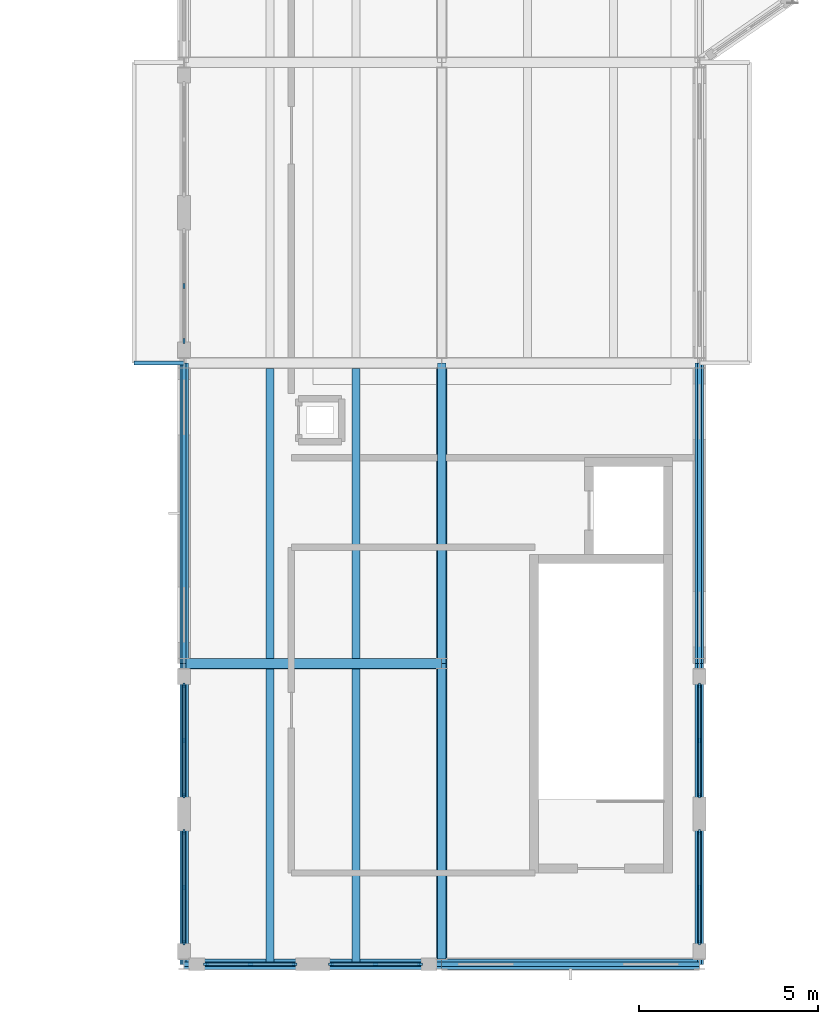
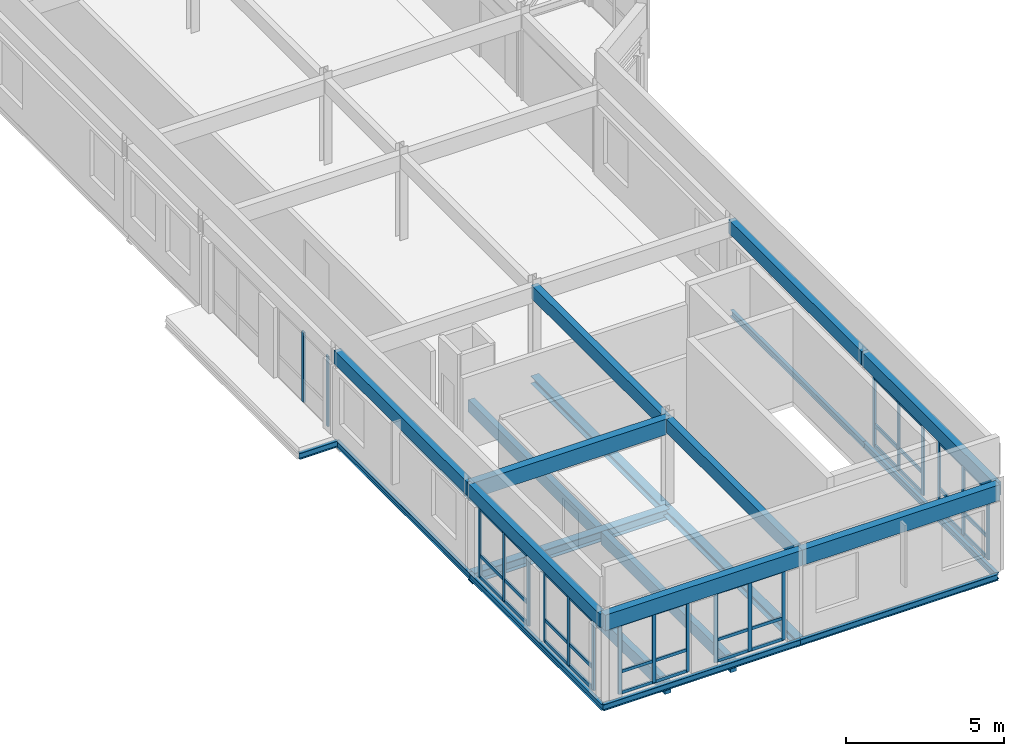
# One storey, part 6 of 21: 38 members, 23 beams, 7 elements without a shape of their own.
"""IFC4 building model written with IfcOpenShell, lengths in metres."""

from ifc_helpers import new_model, si_unit, direction, frame, origin, origin_2d, place, context, subcontext, project, spatial, rectangle, i_section, extrude, material, material_profile, profile_set, type_object, element, aggregate, save


model = new_model("IFC4")

# Units and contexts
model_context = context("Model", 3, precision=1e-05, world=origin(), true_north=direction((0.0, 1.0)))
body_context = subcontext(model_context, "Body", "Model", "MODEL_VIEW")
ifc_project = project(units=[si_unit("LENGTHUNIT", "METRE"), si_unit("AREAUNIT", "SQUARE_METRE"), si_unit("VOLUMEUNIT", "CUBIC_METRE"), si_unit("PLANEANGLEUNIT", "RADIAN"), si_unit("MASSUNIT", "GRAM", prefix="KILO")], contexts=[model_context])

# Site, building, storey
site_placement = place(None, origin())
site = spatial("IfcSite", under=ifc_project, at=site_placement, CompositionType="ELEMENT")
building_placement = place(site_placement, origin())
building = spatial("IfcBuilding", under=site, at=building_placement, Name="Kahlenmark Community Centre", CompositionType="ELEMENT")
storey_placement = place(building_placement, frame((0.0, 0.0, 21.60009765625)))
storey = spatial("IfcBuildingStorey", under=building, at=storey_placement, Name="L05", CompositionType="ELEMENT", Elevation=21.60009765625)

# Beams
ifc_material_1 = material(Name="Glulam GL32h", Category="wood")
ifc_material_profile_1 = material_profile(ifc_material_1, rectangle(XDim=0.239990234375, YDim=0.52001953125, at=origin_2d()), Name="GL32h 240x520")
ifc_profile_set_1 = profile_set([ifc_material_profile_1], Name="Glulam GL32h")
beam_type_1 = type_object("IfcBeamType", Name="BT-BEAM-GL32h240x520", PredefinedType="BEAM", material=ifc_profile_set_1)
beam_1_placement = place(storey_placement, frame((72.39990234375, 50.800048828125, 3.059814453125), z_axis=(0.0, 1.0, 0.0), x_axis=(-1.0, 0.0, 0.0)))
element("IfcBeam", 1, at=beam_1_placement, inside=storey, type_object=beam_type_1, Name="L05 beam BG-RF520", PredefinedType="BEAM", context=body_context, shape_type="SweptSolid", body=[
    extrude(rectangle(XDim=0.239990234375, YDim=0.52001953125, at=origin_2d()), origin(), (0.0, 0.0, 1.0), 8.39990234375),
])
beam_2_placement = place(storey_placement, frame((72.39990234375, 59.199951171875, 3.059814453125), z_axis=(0.0, 1.0, 0.0), x_axis=(-1.0, 0.0, 0.0)))
element("IfcBeam", 2, at=beam_2_placement, inside=storey, type_object=beam_type_1, Name="L05 beam BG-RF520", PredefinedType="BEAM", context=body_context, shape_type="SweptSolid", body=[
    extrude(rectangle(XDim=0.239990234375, YDim=0.52001953125, at=origin_2d()), origin(), (0.0, 0.0, 1.0), 8.400146484375),
])
beam_3_placement = place(storey_placement, frame((79.60009765625, 50.800048828125, 3.059814453125), z_axis=(0.0, 1.0, 0.0), x_axis=(-1.0, 0.0, 0.0)))
element("IfcBeam", 3, at=beam_3_placement, inside=storey, type_object=beam_type_1, Name="L05 beam BG-RF520", PredefinedType="BEAM", context=body_context, shape_type="SweptSolid", body=[
    extrude(rectangle(XDim=0.239990234375, YDim=0.52001953125, at=origin_2d()), origin(), (0.0, 0.0, 1.0), 8.39990234375),
])
beam_4_placement = place(storey_placement, frame((79.60009765625, 59.199951171875, 3.059814453125), z_axis=(0.0, 1.0, 0.0), x_axis=(-1.0, 0.0, 0.0)))
element("IfcBeam", 4, at=beam_4_placement, inside=storey, type_object=beam_type_1, Name="L05 beam BG-RF520", PredefinedType="BEAM", context=body_context, shape_type="SweptSolid", body=[
    extrude(rectangle(XDim=0.239990234375, YDim=0.52001953125, at=origin_2d()), origin(), (0.0, 0.0, 1.0), 8.400146484375),
])
beam_5_placement = place(storey_placement, frame((86.800048828125, 50.800048828125, 3.059814453125), z_axis=(0.0, 1.0, 0.0), x_axis=(-1.0, 0.0, 0.0)))
element("IfcBeam", 5, at=beam_5_placement, inside=storey, type_object=beam_type_1, Name="L05 beam BG-RF520", PredefinedType="BEAM", context=body_context, shape_type="SweptSolid", body=[
    extrude(rectangle(XDim=0.239990234375, YDim=0.52001953125, at=origin_2d()), origin(), (0.0, 0.0, 1.0), 8.39990234375),
])
beam_6_placement = place(storey_placement, frame((86.800048828125, 59.199951171875, 3.059814453125), z_axis=(0.0, 1.0, 0.0), x_axis=(-1.0, 0.0, 0.0)))
element("IfcBeam", 6, at=beam_6_placement, inside=storey, type_object=beam_type_1, Name="L05 beam BG-RF520", PredefinedType="BEAM", context=body_context, shape_type="SweptSolid", body=[
    extrude(rectangle(XDim=0.239990234375, YDim=0.52001953125, at=origin_2d()), origin(), (0.0, 0.0, 1.0), 8.400146484375),
])
ifc_material_profile_2 = material_profile(ifc_material_1, rectangle(XDim=0.280029296875, YDim=0.60009765625, at=origin_2d()), Name="GL32h 280x600")
ifc_profile_set_2 = profile_set([ifc_material_profile_2], Name="Glulam GL32h")
beam_type_2 = type_object("IfcBeamType", Name="BT-BEAM-GL32h280x600", PredefinedType="BEAM", material=ifc_profile_set_2)
beam_7_placement = place(storey_placement, frame((72.39990234375, 50.800048828125, 3.02001953125), z_axis=(1.0, 0.0, 0.0), x_axis=(0.0, 1.0, 0.0)))
element("IfcBeam", 7, at=beam_7_placement, inside=storey, type_object=beam_type_2, Name="L05 beam BG-RF600", PredefinedType="BEAM", context=body_context, shape_type="SweptSolid", body=[
    extrude(rectangle(XDim=0.280029296875, YDim=0.60009765625, at=origin_2d()), origin(), (0.0, 0.0, 1.0), 7.2001953125),
])
beam_8_placement = place(storey_placement, frame((79.60009765625, 50.800048828125, 3.02001953125), z_axis=(1.0, 0.0, 0.0), x_axis=(0.0, 1.0, 0.0)))
element("IfcBeam", 8, at=beam_8_placement, inside=storey, type_object=beam_type_2, Name="L05 beam BG-RF600", PredefinedType="BEAM", context=body_context, shape_type="SweptSolid", body=[
    extrude(rectangle(XDim=0.280029296875, YDim=0.60009765625, at=origin_2d()), origin(), (0.0, 0.0, 1.0), 7.199951171875),
])
beam_9_placement = place(storey_placement, frame((72.39990234375, 59.199951171875, 3.02001953125), z_axis=(1.0, 0.0, 0.0), x_axis=(0.0, 1.0, 0.0)))
element("IfcBeam", 9, at=beam_9_placement, inside=storey, type_object=beam_type_2, Name="L05 beam BG-RF600", PredefinedType="BEAM", context=body_context, shape_type="SweptSolid", body=[
    extrude(rectangle(XDim=0.280029296875, YDim=0.60009765625, at=origin_2d()), origin(), (0.0, 0.0, 1.0), 7.2001953125),
])
ifc_material_2 = material(Name="Steel S355", Category="steel")
ifc_material_profile_3 = material_profile(ifc_material_2, i_section(OverallWidth=0.300048828125, OverallDepth=0.2900390625, WebThickness=0.008544921875, FlangeThickness=0.013916015625, at=origin_2d()), Name="HEA 300")
ifc_profile_set_3 = profile_set([ifc_material_profile_3], Name="Steel S355")
beam_type_3 = type_object("IfcBeamType", Name="BT-BEAM-HEA300", PredefinedType="BEAM", material=ifc_profile_set_3)
beam_10_placement = place(storey_placement, frame((79.60009765625, 50.800048828125, -0.3251953125), z_axis=(0.0, 1.0, 0.0), x_axis=(-1.0, 0.0, 0.0)))
element("IfcBeam", 10, at=beam_10_placement, inside=storey, type_object=beam_type_3, Name="L05 beam BG-HEA300", PredefinedType="BEAM", context=body_context, shape_type="SweptSolid", body=[
    extrude(i_section(OverallWidth=0.300048828125, OverallDepth=0.2900390625, WebThickness=0.008544921875, FlangeThickness=0.013916015625, at=origin_2d()), origin(), (0.0, 0.0, 1.0), 8.39990234375),
])
beam_11_placement = place(storey_placement, frame((79.60009765625, 59.199951171875, -0.3251953125), z_axis=(0.0, 1.0, 0.0), x_axis=(-1.0, 0.0, 0.0)))
element("IfcBeam", 11, at=beam_11_placement, inside=storey, type_object=beam_type_3, Name="L05 beam BG-HEA300", PredefinedType="BEAM", context=body_context, shape_type="SweptSolid", body=[
    extrude(i_section(OverallWidth=0.300048828125, OverallDepth=0.2900390625, WebThickness=0.008544921875, FlangeThickness=0.013916015625, at=origin_2d()), origin(), (0.0, 0.0, 1.0), 8.400146484375),
])
ifc_material_profile_4 = material_profile(ifc_material_2, i_section(OverallWidth=0.300048828125, OverallDepth=0.389892578125, WebThickness=0.010986328125, FlangeThickness=0.01904296875, at=origin_2d()), Name="HEA 400")
ifc_profile_set_4 = profile_set([ifc_material_profile_4], Name="Steel S355")
beam_type_4 = type_object("IfcBeamType", Name="BT-BEAM-HEA400", PredefinedType="BEAM", material=ifc_profile_set_4)
beam_12_placement = place(storey_placement, frame((72.39990234375, 59.199951171875, -0.375), z_axis=(1.0, 0.0, 0.0), x_axis=(0.0, 1.0, 0.0)))
element("IfcBeam", 12, at=beam_12_placement, inside=storey, type_object=beam_type_4, Name="L05 beam BG-HEA400", PredefinedType="BEAM", context=body_context, shape_type="SweptSolid", body=[
    extrude(i_section(OverallWidth=0.300048828125, OverallDepth=0.389892578125, WebThickness=0.010986328125, FlangeThickness=0.01904296875, at=origin_2d()), origin(), (0.0, 0.0, 1.0), 7.2001953125),
])
ifc_material_profile_5 = material_profile(ifc_material_2, i_section(OverallWidth=0.1201171875, OverallDepth=0.239990234375, WebThickness=0.006103515625, FlangeThickness=0.009765625, at=origin_2d()), Name="IPE 240")
ifc_profile_set_5 = profile_set([ifc_material_profile_5], Name="Steel S355")
beam_type_5 = type_object("IfcBeamType", Name="BT-BEAM-IPE240", PredefinedType="BEAM", material=ifc_profile_set_5)
beam_13_placement = place(storey_placement, frame((71.0, 67.60009765625, -0.300048828125), z_axis=(1.0, 0.0, 0.0), x_axis=(0.0, 1.0, 0.0)))
element("IfcBeam", 13, at=beam_13_placement, inside=storey, type_object=beam_type_5, Name="L05 beam BG-IPE240", PredefinedType="BEAM", context=body_context, shape_type="SweptSolid", body=[
    extrude(i_section(OverallWidth=0.1201171875, OverallDepth=0.239990234375, WebThickness=0.006103515625, FlangeThickness=0.009765625, at=origin_2d()), origin(), (0.0, 0.0, 1.0), 1.39990234375),
])
ifc_material_3 = material(Name="Glulam GL28h", Category="wood")
ifc_material_profile_6 = material_profile(ifc_material_3, rectangle(XDim=0.219970703125, YDim=0.47998046875, at=origin_2d()), Name="GL28h 220x480")
ifc_profile_set_6 = profile_set([ifc_material_profile_6], Name="Glulam GL28h")
beam_type_6 = type_object("IfcBeamType", Name="BT-JOIST-GL28h220x480", PredefinedType="JOIST", material=ifc_profile_set_6)
for number, where, z_axis, x_axis, name in (
    (14, (74.800048828125, 50.85791015625, -0.420166015625), (0.0, 1.0, 0.0), (-1.0, 0.0, 0.0), "L05 joist BJ-GL28h220x480"),
    (15, (77.199951171875, 50.85791015625, -0.420166015625), (0.0, 1.0, 0.0), (-1.0, 0.0, 0.0), "L05 joist BJ-GL28h220x480"),
):
    element("IfcBeam", number, at=place(storey_placement, frame(where, z_axis=z_axis, x_axis=x_axis)), inside=storey, type_object=beam_type_6, Name=name, PredefinedType="JOIST", context=body_context, shape_type="SweptSolid", body=[
        extrude(rectangle(XDim=0.219970703125, YDim=0.47998046875, at=origin_2d()), origin(), (0.0, 0.0, 1.0), 8.194091796875),
    ])
for number, where, z_axis, x_axis, name in (
    (16, (74.800048828125, 59.347900390625, -0.420166015625), (0.0, 1.0, 0.0), (-1.0, 0.0, 0.0), "L05 joist BJ-GL28h220x480"),
    (17, (77.199951171875, 59.347900390625, -0.420166015625), (0.0, 1.0, 0.0), (-1.0, 0.0, 0.0), "L05 joist BJ-GL28h220x480"),
):
    element("IfcBeam", number, at=place(storey_placement, frame(where, z_axis=z_axis, x_axis=x_axis)), inside=storey, type_object=beam_type_6, Name=name, PredefinedType="JOIST", context=body_context, shape_type="SweptSolid", body=[
        extrude(rectangle(XDim=0.219970703125, YDim=0.47998046875, at=origin_2d()), origin(), (0.0, 0.0, 1.0), 8.10400390625),
    ])
ifc_material_profile_7 = material_profile(ifc_material_2, i_section(OverallWidth=0.1201171875, OverallDepth=0.239990234375, WebThickness=0.006103515625, FlangeThickness=0.009765625, at=origin_2d()), Name="IPE 240")
ifc_profile_set_7 = profile_set([ifc_material_profile_7], Name="Steel S355")
beam_type_7 = type_object("IfcBeamType", Name="BT-SPANDREL-IPE240", PredefinedType="SPANDREL", material=ifc_profile_set_7)
beam_14_placement = place(storey_placement, frame((72.39990234375, 50.800048828125, -0.300048828125), z_axis=(1.0, 0.0, 0.0), x_axis=(0.0, 1.0, 0.0)))
element("IfcBeam", 18, at=beam_14_placement, inside=storey, type_object=beam_type_7, Name="L05 spandrel SP-IPE240", PredefinedType="SPANDREL", context=body_context, shape_type="SweptSolid", body=[
    extrude(i_section(OverallWidth=0.1201171875, OverallDepth=0.239990234375, WebThickness=0.006103515625, FlangeThickness=0.009765625, at=origin_2d()), origin(), (0.0, 0.0, 1.0), 7.2001953125),
])
beam_15_placement = place(storey_placement, frame((79.60009765625, 50.800048828125, -0.300048828125), z_axis=(1.0, 0.0, 0.0), x_axis=(0.0, 1.0, 0.0)))
element("IfcBeam", 19, at=beam_15_placement, inside=storey, type_object=beam_type_7, Name="L05 spandrel SP-IPE240", PredefinedType="SPANDREL", context=body_context, shape_type="SweptSolid", body=[
    extrude(i_section(OverallWidth=0.1201171875, OverallDepth=0.239990234375, WebThickness=0.006103515625, FlangeThickness=0.009765625, at=origin_2d()), origin(), (0.0, 0.0, 1.0), 7.199951171875),
])
beam_16_placement = place(storey_placement, frame((72.39990234375, 50.800048828125, -0.300048828125), z_axis=(0.0, 1.0, 0.0), x_axis=(-1.0, 0.0, 0.0)))
element("IfcBeam", 20, at=beam_16_placement, inside=storey, type_object=beam_type_7, Name="L05 spandrel SP-IPE240", PredefinedType="SPANDREL", context=body_context, shape_type="SweptSolid", body=[
    extrude(i_section(OverallWidth=0.1201171875, OverallDepth=0.239990234375, WebThickness=0.006103515625, FlangeThickness=0.009765625, at=origin_2d()), origin(), (0.0, 0.0, 1.0), 8.39990234375),
])
beam_17_placement = place(storey_placement, frame((72.39990234375, 59.199951171875, -0.300048828125), z_axis=(0.0, 1.0, 0.0), x_axis=(-1.0, 0.0, 0.0)))
element("IfcBeam", 21, at=beam_17_placement, inside=storey, type_object=beam_type_7, Name="L05 spandrel SP-IPE240", PredefinedType="SPANDREL", context=body_context, shape_type="SweptSolid", body=[
    extrude(i_section(OverallWidth=0.1201171875, OverallDepth=0.239990234375, WebThickness=0.006103515625, FlangeThickness=0.009765625, at=origin_2d()), origin(), (0.0, 0.0, 1.0), 8.400146484375),
])
beam_18_placement = place(storey_placement, frame((86.800048828125, 50.800048828125, -0.300048828125), z_axis=(0.0, 1.0, 0.0), x_axis=(-1.0, 0.0, 0.0)))
element("IfcBeam", 22, at=beam_18_placement, inside=storey, type_object=beam_type_7, Name="L05 spandrel SP-IPE240", PredefinedType="SPANDREL", context=body_context, shape_type="SweptSolid", body=[
    extrude(i_section(OverallWidth=0.1201171875, OverallDepth=0.239990234375, WebThickness=0.006103515625, FlangeThickness=0.009765625, at=origin_2d()), origin(), (0.0, 0.0, 1.0), 8.39990234375),
])
beam_19_placement = place(storey_placement, frame((86.800048828125, 59.199951171875, -0.300048828125), z_axis=(0.0, 1.0, 0.0), x_axis=(-1.0, 0.0, 0.0)))
element("IfcBeam", 23, at=beam_19_placement, inside=storey, type_object=beam_type_7, Name="L05 spandrel SP-IPE240", PredefinedType="SPANDREL", context=body_context, shape_type="SweptSolid", body=[
    extrude(i_section(OverallWidth=0.1201171875, OverallDepth=0.239990234375, WebThickness=0.006103515625, FlangeThickness=0.009765625, at=origin_2d()), origin(), (0.0, 0.0, 1.0), 8.400146484375),
])

# Curtain wall, members
ifc_material_4 = material(Name="Anodised aluminium unitised curtain wall", Category="aluminium")
curtain_wall_type_1 = type_object("IfcCurtainWallType", Name="CWT-UNIT-254X271", PredefinedType="USERDEFINED", material=ifc_material_4)
curtain_wall_1_placement = place(storey_placement, origin())
curtain_wall_1 = element("IfcCurtainWall", 24, at=curtain_wall_1_placement, inside=storey, type_object=curtain_wall_type_1, Name="Unitised curtain wall CW-143", ObjectType="UNITISED CURTAIN WALL", PredefinedType="USERDEFINED")
ifc_material_5 = material(Name="Anodised aluminium 6063-T6", Category="aluminium")
ifc_material_profile_8 = material_profile(ifc_material_5, rectangle(XDim=0.06005859375, YDim=0.139892578125, at=origin_2d()), Name="ALU MULLION 60x140")
ifc_profile_set_8 = profile_set([ifc_material_profile_8], Name="Anodised aluminium 6063-T6")
member_type_1 = type_object("IfcMemberType", Name="MT-MUL-140", PredefinedType="MULLION", material=ifc_profile_set_8)
member_1_placement = place(storey_placement, frame((73.010009765625, 50.800048828125, 0.0), z_axis=(0.0, 0.0, 1.0), x_axis=(0.0, 1.0, 0.0)))
member_1 = element("IfcMember", 25, at=member_1_placement, type_object=member_type_1, Name="CW-143 mullion 1", PredefinedType="MULLION", context=body_context, shape_type="SweptSolid", body=[
    extrude(rectangle(XDim=0.06005859375, YDim=0.139892578125, at=origin_2d()), origin(), (0.0, 0.0, 1.0), 2.7099609375),
])
member_2_placement = place(storey_placement, frame((74.25, 50.800048828125, 0.0), z_axis=(0.0, 0.0, 1.0), x_axis=(0.0, 1.0, 0.0)))
member_2 = element("IfcMember", 26, at=member_2_placement, type_object=member_type_1, Name="CW-143 mullion 2", PredefinedType="MULLION", context=body_context, shape_type="SweptSolid", body=[
    extrude(rectangle(XDim=0.06005859375, YDim=0.139892578125, at=origin_2d()), origin(), (0.0, 0.0, 1.0), 2.7099609375),
])
member_3_placement = place(storey_placement, frame((75.489990234375, 50.800048828125, 0.0), z_axis=(0.0, 0.0, 1.0), x_axis=(0.0, 1.0, 0.0)))
member_3 = element("IfcMember", 27, at=member_3_placement, type_object=member_type_1, Name="CW-143 mullion 3", PredefinedType="MULLION", context=body_context, shape_type="SweptSolid", body=[
    extrude(rectangle(XDim=0.06005859375, YDim=0.139892578125, at=origin_2d()), origin(), (0.0, 0.0, 1.0), 2.7099609375),
])

curtain_wall_2_placement = place(storey_placement, origin())
curtain_wall_2 = element("IfcCurtainWall", 28, at=curtain_wall_2_placement, inside=storey, type_object=curtain_wall_type_1, Name="Unitised curtain wall CW-144", ObjectType="UNITISED CURTAIN WALL", PredefinedType="USERDEFINED")
member_4_placement = place(storey_placement, frame((76.510009765625, 50.800048828125, 0.0), z_axis=(0.0, 0.0, 1.0), x_axis=(0.0, 1.0, 0.0)))
member_4 = element("IfcMember", 29, at=member_4_placement, type_object=member_type_1, Name="CW-144 mullion 1", PredefinedType="MULLION", context=body_context, shape_type="SweptSolid", body=[
    extrude(rectangle(XDim=0.06005859375, YDim=0.139892578125, at=origin_2d()), origin(), (0.0, 0.0, 1.0), 2.7099609375),
])
member_5_placement = place(storey_placement, frame((77.75, 50.800048828125, 0.0), z_axis=(0.0, 0.0, 1.0), x_axis=(0.0, 1.0, 0.0)))
member_5 = element("IfcMember", 30, at=member_5_placement, type_object=member_type_1, Name="CW-144 mullion 2", PredefinedType="MULLION", context=body_context, shape_type="SweptSolid", body=[
    extrude(rectangle(XDim=0.06005859375, YDim=0.139892578125, at=origin_2d()), origin(), (0.0, 0.0, 1.0), 2.7099609375),
])
member_6_placement = place(storey_placement, frame((78.989990234375, 50.800048828125, 0.0), z_axis=(0.0, 0.0, 1.0), x_axis=(0.0, 1.0, 0.0)))
member_6 = element("IfcMember", 31, at=member_6_placement, type_object=member_type_1, Name="CW-144 mullion 3", PredefinedType="MULLION", context=body_context, shape_type="SweptSolid", body=[
    extrude(rectangle(XDim=0.06005859375, YDim=0.139892578125, at=origin_2d()), origin(), (0.0, 0.0, 1.0), 2.7099609375),
])

curtain_wall_type_2 = type_object("IfcCurtainWallType", Name="CWT-UNIT-314X271", PredefinedType="USERDEFINED", material=ifc_material_4)
curtain_wall_3_placement = place(storey_placement, origin())
curtain_wall_3 = element("IfcCurtainWall", 32, at=curtain_wall_3_placement, inside=storey, type_object=curtain_wall_type_2, Name="Unitised curtain wall CW-145", ObjectType="UNITISED CURTAIN WALL", PredefinedType="USERDEFINED")
member_7_placement = place(storey_placement, frame((72.39990234375, 58.590087890625, 0.0), z_axis=(0.0, 0.0, 1.0), x_axis=(1.0, 0.0, 0.0)))
member_7 = element("IfcMember", 33, at=member_7_placement, type_object=member_type_1, Name="CW-145 mullion 1", PredefinedType="MULLION", context=body_context, shape_type="SweptSolid", body=[
    extrude(rectangle(XDim=0.06005859375, YDim=0.139892578125, at=origin_2d()), origin(), (0.0, 0.0, 1.0), 2.7099609375),
])
member_8_placement = place(storey_placement, frame((72.39990234375, 57.050048828125, 0.0), z_axis=(0.0, 0.0, 1.0), x_axis=(1.0, 0.0, 0.0)))
member_8 = element("IfcMember", 34, at=member_8_placement, type_object=member_type_1, Name="CW-145 mullion 2", PredefinedType="MULLION", context=body_context, shape_type="SweptSolid", body=[
    extrude(rectangle(XDim=0.06005859375, YDim=0.139892578125, at=origin_2d()), origin(), (0.0, 0.0, 1.0), 2.7099609375),
])
member_9_placement = place(storey_placement, frame((72.39990234375, 55.510009765625, 0.0), z_axis=(0.0, 0.0, 1.0), x_axis=(1.0, 0.0, 0.0)))
member_9 = element("IfcMember", 35, at=member_9_placement, type_object=member_type_1, Name="CW-145 mullion 3", PredefinedType="MULLION", context=body_context, shape_type="SweptSolid", body=[
    extrude(rectangle(XDim=0.06005859375, YDim=0.139892578125, at=origin_2d()), origin(), (0.0, 0.0, 1.0), 2.7099609375),
])

curtain_wall_4_placement = place(storey_placement, origin())
curtain_wall_4 = element("IfcCurtainWall", 36, at=curtain_wall_4_placement, inside=storey, type_object=curtain_wall_type_2, Name="Unitised curtain wall CW-146", ObjectType="UNITISED CURTAIN WALL", PredefinedType="USERDEFINED")
member_10_placement = place(storey_placement, frame((72.39990234375, 54.489990234375, 0.0), z_axis=(0.0, 0.0, 1.0), x_axis=(1.0, 0.0, 0.0)))
member_10 = element("IfcMember", 37, at=member_10_placement, type_object=member_type_1, Name="CW-146 mullion 1", PredefinedType="MULLION", context=body_context, shape_type="SweptSolid", body=[
    extrude(rectangle(XDim=0.06005859375, YDim=0.139892578125, at=origin_2d()), origin(), (0.0, 0.0, 1.0), 2.7099609375),
])
member_11_placement = place(storey_placement, frame((72.39990234375, 52.949951171875, 0.0), z_axis=(0.0, 0.0, 1.0), x_axis=(1.0, 0.0, 0.0)))
member_11 = element("IfcMember", 38, at=member_11_placement, type_object=member_type_1, Name="CW-146 mullion 2", PredefinedType="MULLION", context=body_context, shape_type="SweptSolid", body=[
    extrude(rectangle(XDim=0.06005859375, YDim=0.139892578125, at=origin_2d()), origin(), (0.0, 0.0, 1.0), 2.7099609375),
])
member_12_placement = place(storey_placement, frame((72.39990234375, 51.409912109375, 0.0), z_axis=(0.0, 0.0, 1.0), x_axis=(1.0, 0.0, 0.0)))
member_12 = element("IfcMember", 39, at=member_12_placement, type_object=member_type_1, Name="CW-146 mullion 3", PredefinedType="MULLION", context=body_context, shape_type="SweptSolid", body=[
    extrude(rectangle(XDim=0.06005859375, YDim=0.139892578125, at=origin_2d()), origin(), (0.0, 0.0, 1.0), 2.7099609375),
])

curtain_wall_5_placement = place(storey_placement, origin())
curtain_wall_5 = element("IfcCurtainWall", 40, at=curtain_wall_5_placement, inside=storey, type_object=curtain_wall_type_2, Name="Unitised curtain wall CW-148", ObjectType="UNITISED CURTAIN WALL", PredefinedType="USERDEFINED")
member_13_placement = place(storey_placement, frame((72.39990234375, 69.75, 0.0), z_axis=(0.0, 0.0, 1.0), x_axis=(1.0, 0.0, 0.0)))
member_13 = element("IfcMember", 41, at=member_13_placement, type_object=member_type_1, Name="CW-148 mullion 2", PredefinedType="MULLION", context=body_context, shape_type="SweptSolid", body=[
    extrude(rectangle(XDim=0.06005859375, YDim=0.139892578125, at=origin_2d()), origin(), (0.0, 0.0, 1.0), 2.7099609375),
])
member_14_placement = place(storey_placement, frame((72.39990234375, 68.2099609375, 0.0), z_axis=(0.0, 0.0, 1.0), x_axis=(1.0, 0.0, 0.0)))
member_14 = element("IfcMember", 42, at=member_14_placement, type_object=member_type_1, Name="CW-148 mullion 3", PredefinedType="MULLION", context=body_context, shape_type="SweptSolid", body=[
    extrude(rectangle(XDim=0.06005859375, YDim=0.139892578125, at=origin_2d()), origin(), (0.0, 0.0, 1.0), 2.7099609375),
])
aggregate(curtain_wall_5, [member_13, member_14])

curtain_wall_6_placement = place(storey_placement, origin())
curtain_wall_6 = element("IfcCurtainWall", 43, at=curtain_wall_6_placement, inside=storey, type_object=curtain_wall_type_2, Name="Unitised curtain wall CW-149", ObjectType="UNITISED CURTAIN WALL", PredefinedType="USERDEFINED")
member_15_placement = place(storey_placement, frame((86.800048828125, 51.409912109375, 0.0), z_axis=(0.0, 0.0, 1.0), x_axis=(-1.0, 0.0, 0.0)))
member_15 = element("IfcMember", 44, at=member_15_placement, type_object=member_type_1, Name="CW-149 mullion 1", PredefinedType="MULLION", context=body_context, shape_type="SweptSolid", body=[
    extrude(rectangle(XDim=0.06005859375, YDim=0.139892578125, at=origin_2d()), origin(), (0.0, 0.0, 1.0), 2.7099609375),
])
member_16_placement = place(storey_placement, frame((86.800048828125, 52.949951171875, 0.0), z_axis=(0.0, 0.0, 1.0), x_axis=(-1.0, 0.0, 0.0)))
member_16 = element("IfcMember", 45, at=member_16_placement, type_object=member_type_1, Name="CW-149 mullion 2", PredefinedType="MULLION", context=body_context, shape_type="SweptSolid", body=[
    extrude(rectangle(XDim=0.06005859375, YDim=0.139892578125, at=origin_2d()), origin(), (0.0, 0.0, 1.0), 2.7099609375),
])
member_17_placement = place(storey_placement, frame((86.800048828125, 54.489990234375, 0.0), z_axis=(0.0, 0.0, 1.0), x_axis=(-1.0, 0.0, 0.0)))
member_17 = element("IfcMember", 46, at=member_17_placement, type_object=member_type_1, Name="CW-149 mullion 3", PredefinedType="MULLION", context=body_context, shape_type="SweptSolid", body=[
    extrude(rectangle(XDim=0.06005859375, YDim=0.139892578125, at=origin_2d()), origin(), (0.0, 0.0, 1.0), 2.7099609375),
])

curtain_wall_7_placement = place(storey_placement, origin())
curtain_wall_7 = element("IfcCurtainWall", 47, at=curtain_wall_7_placement, inside=storey, type_object=curtain_wall_type_2, Name="Unitised curtain wall CW-150", ObjectType="UNITISED CURTAIN WALL", PredefinedType="USERDEFINED")
member_18_placement = place(storey_placement, frame((86.800048828125, 55.510009765625, 0.0), z_axis=(0.0, 0.0, 1.0), x_axis=(-1.0, 0.0, 0.0)))
member_18 = element("IfcMember", 48, at=member_18_placement, type_object=member_type_1, Name="CW-150 mullion 1", PredefinedType="MULLION", context=body_context, shape_type="SweptSolid", body=[
    extrude(rectangle(XDim=0.06005859375, YDim=0.139892578125, at=origin_2d()), origin(), (0.0, 0.0, 1.0), 2.7099609375),
])
member_19_placement = place(storey_placement, frame((86.800048828125, 57.050048828125, 0.0), z_axis=(0.0, 0.0, 1.0), x_axis=(-1.0, 0.0, 0.0)))
member_19 = element("IfcMember", 49, at=member_19_placement, type_object=member_type_1, Name="CW-150 mullion 2", PredefinedType="MULLION", context=body_context, shape_type="SweptSolid", body=[
    extrude(rectangle(XDim=0.06005859375, YDim=0.139892578125, at=origin_2d()), origin(), (0.0, 0.0, 1.0), 2.7099609375),
])
member_20_placement = place(storey_placement, frame((86.800048828125, 58.590087890625, 0.0), z_axis=(0.0, 0.0, 1.0), x_axis=(-1.0, 0.0, 0.0)))
member_20 = element("IfcMember", 50, at=member_20_placement, type_object=member_type_1, Name="CW-150 mullion 3", PredefinedType="MULLION", context=body_context, shape_type="SweptSolid", body=[
    extrude(rectangle(XDim=0.06005859375, YDim=0.139892578125, at=origin_2d()), origin(), (0.0, 0.0, 1.0), 2.7099609375),
])

# Member
ifc_material_profile_9 = material_profile(ifc_material_5, rectangle(XDim=0.06005859375, YDim=0.1201171875, at=origin_2d()), Name="ALU TRANSOM 60x120")
ifc_profile_set_9 = profile_set([ifc_material_profile_9], Name="Anodised aluminium 6063-T6")
member_type_2 = type_object("IfcMemberType", Name="MT-TRN-120", PredefinedType="USERDEFINED", material=ifc_profile_set_9)
member_21_placement = place(storey_placement, frame((73.010009765625, 50.800048828125, 0.039794921875), z_axis=(1.0, 0.0, 0.0), x_axis=(0.0, 1.0, 0.0)))
member_21 = element("IfcMember", 51, at=member_21_placement, type_object=member_type_2, Name="CW-143 transom 1", ObjectType="TRANSOM", PredefinedType="USERDEFINED", context=body_context, shape_type="SweptSolid", body=[
    extrude(rectangle(XDim=0.06005859375, YDim=0.1201171875, at=origin_2d()), origin(), (0.0, 0.0, 1.0), 2.47998046875),
])

member_22_placement = place(storey_placement, frame((73.010009765625, 50.800048828125, 0.849853515625), z_axis=(1.0, 0.0, 0.0), x_axis=(0.0, 1.0, 0.0)))
member_22 = element("IfcMember", 52, at=member_22_placement, type_object=member_type_2, Name="CW-143 transom 2", ObjectType="TRANSOM", PredefinedType="USERDEFINED", context=body_context, shape_type="SweptSolid", body=[
    extrude(rectangle(XDim=0.06005859375, YDim=0.1201171875, at=origin_2d()), origin(), (0.0, 0.0, 1.0), 2.47998046875),
])

member_23_placement = place(storey_placement, frame((73.010009765625, 50.800048828125, 2.669921875), z_axis=(1.0, 0.0, 0.0), x_axis=(0.0, 1.0, 0.0)))
member_23 = element("IfcMember", 53, at=member_23_placement, type_object=member_type_2, Name="CW-143 transom 3", ObjectType="TRANSOM", PredefinedType="USERDEFINED", context=body_context, shape_type="SweptSolid", body=[
    extrude(rectangle(XDim=0.06005859375, YDim=0.1201171875, at=origin_2d()), origin(), (0.0, 0.0, 1.0), 2.47998046875),
])

aggregate(curtain_wall_1, [member_1, member_2, member_3, member_21, member_22, member_23])

member_24_placement = place(storey_placement, frame((76.510009765625, 50.800048828125, 0.039794921875), z_axis=(1.0, 0.0, 0.0), x_axis=(0.0, 1.0, 0.0)))
member_24 = element("IfcMember", 54, at=member_24_placement, type_object=member_type_2, Name="CW-144 transom 1", ObjectType="TRANSOM", PredefinedType="USERDEFINED", context=body_context, shape_type="SweptSolid", body=[
    extrude(rectangle(XDim=0.06005859375, YDim=0.1201171875, at=origin_2d()), origin(), (0.0, 0.0, 1.0), 2.47998046875),
])

member_25_placement = place(storey_placement, frame((76.510009765625, 50.800048828125, 0.849853515625), z_axis=(1.0, 0.0, 0.0), x_axis=(0.0, 1.0, 0.0)))
member_25 = element("IfcMember", 55, at=member_25_placement, type_object=member_type_2, Name="CW-144 transom 2", ObjectType="TRANSOM", PredefinedType="USERDEFINED", context=body_context, shape_type="SweptSolid", body=[
    extrude(rectangle(XDim=0.06005859375, YDim=0.1201171875, at=origin_2d()), origin(), (0.0, 0.0, 1.0), 2.47998046875),
])

member_26_placement = place(storey_placement, frame((76.510009765625, 50.800048828125, 2.669921875), z_axis=(1.0, 0.0, 0.0), x_axis=(0.0, 1.0, 0.0)))
member_26 = element("IfcMember", 56, at=member_26_placement, type_object=member_type_2, Name="CW-144 transom 3", ObjectType="TRANSOM", PredefinedType="USERDEFINED", context=body_context, shape_type="SweptSolid", body=[
    extrude(rectangle(XDim=0.06005859375, YDim=0.1201171875, at=origin_2d()), origin(), (0.0, 0.0, 1.0), 2.47998046875),
])

aggregate(curtain_wall_2, [member_4, member_5, member_6, member_24, member_25, member_26])

ifc_material_profile_10 = material_profile(ifc_material_5, rectangle(XDim=0.06005859375, YDim=0.139892578125, at=origin_2d()), Name="ALU TRANSOM 60x140")
ifc_profile_set_10 = profile_set([ifc_material_profile_10], Name="Anodised aluminium 6063-T6")
member_type_3 = type_object("IfcMemberType", Name="MT-TRN-140", PredefinedType="USERDEFINED", material=ifc_profile_set_10)
member_27_placement = place(storey_placement, frame((72.39990234375, 58.590087890625, 0.039794921875), z_axis=(0.0, -1.0, 0.0), x_axis=(1.0, 0.0, 0.0)))
member_27 = element("IfcMember", 57, at=member_27_placement, type_object=member_type_3, Name="CW-145 transom 1", ObjectType="TRANSOM", PredefinedType="USERDEFINED", context=body_context, shape_type="SweptSolid", body=[
    extrude(rectangle(XDim=0.06005859375, YDim=0.139892578125, at=origin_2d()), origin(), (0.0, 0.0, 1.0), 3.080078125),
])

member_28_placement = place(storey_placement, frame((72.39990234375, 58.590087890625, 0.849853515625), z_axis=(0.0, -1.0, 0.0), x_axis=(1.0, 0.0, 0.0)))
member_28 = element("IfcMember", 58, at=member_28_placement, type_object=member_type_3, Name="CW-145 transom 2", ObjectType="TRANSOM", PredefinedType="USERDEFINED", context=body_context, shape_type="SweptSolid", body=[
    extrude(rectangle(XDim=0.06005859375, YDim=0.139892578125, at=origin_2d()), origin(), (0.0, 0.0, 1.0), 3.080078125),
])

member_29_placement = place(storey_placement, frame((72.39990234375, 58.590087890625, 2.669921875), z_axis=(0.0, -1.0, 0.0), x_axis=(1.0, 0.0, 0.0)))
member_29 = element("IfcMember", 59, at=member_29_placement, type_object=member_type_3, Name="CW-145 transom 3", ObjectType="TRANSOM", PredefinedType="USERDEFINED", context=body_context, shape_type="SweptSolid", body=[
    extrude(rectangle(XDim=0.06005859375, YDim=0.139892578125, at=origin_2d()), origin(), (0.0, 0.0, 1.0), 3.080078125),
])

aggregate(curtain_wall_3, [member_7, member_8, member_9, member_27, member_28, member_29])

member_30_placement = place(storey_placement, frame((72.39990234375, 54.489990234375, 0.039794921875), z_axis=(0.0, -1.0, 0.0), x_axis=(1.0, 0.0, 0.0)))
member_30 = element("IfcMember", 60, at=member_30_placement, type_object=member_type_3, Name="CW-146 transom 1", ObjectType="TRANSOM", PredefinedType="USERDEFINED", context=body_context, shape_type="SweptSolid", body=[
    extrude(rectangle(XDim=0.06005859375, YDim=0.139892578125, at=origin_2d()), origin(), (0.0, 0.0, 1.0), 3.080078125),
])

member_31_placement = place(storey_placement, frame((72.39990234375, 54.489990234375, 0.849853515625), z_axis=(0.0, -1.0, 0.0), x_axis=(1.0, 0.0, 0.0)))
member_31 = element("IfcMember", 61, at=member_31_placement, type_object=member_type_3, Name="CW-146 transom 2", ObjectType="TRANSOM", PredefinedType="USERDEFINED", context=body_context, shape_type="SweptSolid", body=[
    extrude(rectangle(XDim=0.06005859375, YDim=0.139892578125, at=origin_2d()), origin(), (0.0, 0.0, 1.0), 3.080078125),
])

member_32_placement = place(storey_placement, frame((72.39990234375, 54.489990234375, 2.669921875), z_axis=(0.0, -1.0, 0.0), x_axis=(1.0, 0.0, 0.0)))
member_32 = element("IfcMember", 62, at=member_32_placement, type_object=member_type_3, Name="CW-146 transom 3", ObjectType="TRANSOM", PredefinedType="USERDEFINED", context=body_context, shape_type="SweptSolid", body=[
    extrude(rectangle(XDim=0.06005859375, YDim=0.139892578125, at=origin_2d()), origin(), (0.0, 0.0, 1.0), 3.080078125),
])

aggregate(curtain_wall_4, [member_10, member_11, member_12, member_30, member_31, member_32])

member_33_placement = place(storey_placement, frame((86.800048828125, 51.409912109375, 0.039794921875), z_axis=(0.0, 1.0, 0.0), x_axis=(-1.0, 0.0, 0.0)))
member_33 = element("IfcMember", 63, at=member_33_placement, type_object=member_type_3, Name="CW-149 transom 1", ObjectType="TRANSOM", PredefinedType="USERDEFINED", context=body_context, shape_type="SweptSolid", body=[
    extrude(rectangle(XDim=0.06005859375, YDim=0.139892578125, at=origin_2d()), origin(), (0.0, 0.0, 1.0), 3.080078125),
])

member_34_placement = place(storey_placement, frame((86.800048828125, 51.409912109375, 0.849853515625), z_axis=(0.0, 1.0, 0.0), x_axis=(-1.0, 0.0, 0.0)))
member_34 = element("IfcMember", 64, at=member_34_placement, type_object=member_type_3, Name="CW-149 transom 2", ObjectType="TRANSOM", PredefinedType="USERDEFINED", context=body_context, shape_type="SweptSolid", body=[
    extrude(rectangle(XDim=0.06005859375, YDim=0.139892578125, at=origin_2d()), origin(), (0.0, 0.0, 1.0), 3.080078125),
])

member_35_placement = place(storey_placement, frame((86.800048828125, 51.409912109375, 2.669921875), z_axis=(0.0, 1.0, 0.0), x_axis=(-1.0, 0.0, 0.0)))
member_35 = element("IfcMember", 65, at=member_35_placement, type_object=member_type_3, Name="CW-149 transom 3", ObjectType="TRANSOM", PredefinedType="USERDEFINED", context=body_context, shape_type="SweptSolid", body=[
    extrude(rectangle(XDim=0.06005859375, YDim=0.139892578125, at=origin_2d()), origin(), (0.0, 0.0, 1.0), 3.080078125),
])

aggregate(curtain_wall_6, [member_15, member_16, member_17, member_33, member_34, member_35])

member_36_placement = place(storey_placement, frame((86.800048828125, 55.510009765625, 0.039794921875), z_axis=(0.0, 1.0, 0.0), x_axis=(-1.0, 0.0, 0.0)))
member_36 = element("IfcMember", 66, at=member_36_placement, type_object=member_type_3, Name="CW-150 transom 1", ObjectType="TRANSOM", PredefinedType="USERDEFINED", context=body_context, shape_type="SweptSolid", body=[
    extrude(rectangle(XDim=0.06005859375, YDim=0.139892578125, at=origin_2d()), origin(), (0.0, 0.0, 1.0), 3.080078125),
])

member_37_placement = place(storey_placement, frame((86.800048828125, 55.510009765625, 0.849853515625), z_axis=(0.0, 1.0, 0.0), x_axis=(-1.0, 0.0, 0.0)))
member_37 = element("IfcMember", 67, at=member_37_placement, type_object=member_type_3, Name="CW-150 transom 2", ObjectType="TRANSOM", PredefinedType="USERDEFINED", context=body_context, shape_type="SweptSolid", body=[
    extrude(rectangle(XDim=0.06005859375, YDim=0.139892578125, at=origin_2d()), origin(), (0.0, 0.0, 1.0), 3.080078125),
])

member_38_placement = place(storey_placement, frame((86.800048828125, 55.510009765625, 2.669921875), z_axis=(0.0, 1.0, 0.0), x_axis=(-1.0, 0.0, 0.0)))
member_38 = element("IfcMember", 68, at=member_38_placement, type_object=member_type_3, Name="CW-150 transom 3", ObjectType="TRANSOM", PredefinedType="USERDEFINED", context=body_context, shape_type="SweptSolid", body=[
    extrude(rectangle(XDim=0.06005859375, YDim=0.139892578125, at=origin_2d()), origin(), (0.0, 0.0, 1.0), 3.080078125),
])

aggregate(curtain_wall_7, [member_18, member_19, member_20, member_36, member_37, member_38])

save(model, "model.ifc")
